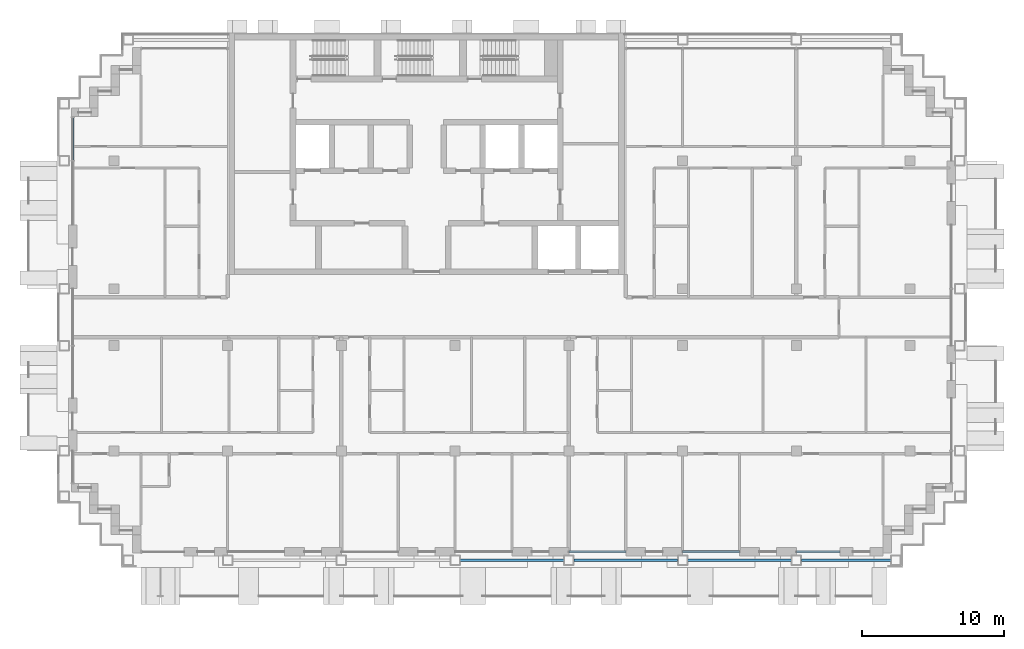
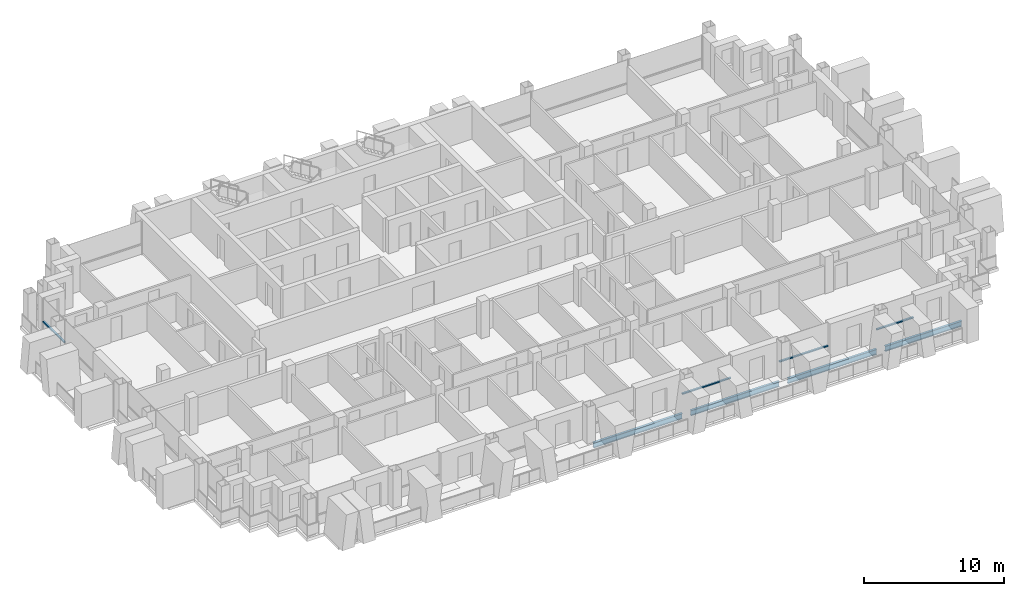
# One storey, part 3 of 16: 4 beams, 4 members, 4 elements without a shape of their own.
"""IFC4 building model written with IfcOpenShell, lengths in metres."""

from ifc_helpers import new_model, si_unit, direction, frame, origin, origin_2d, place, context, subcontext, project, spatial, rectangle, i_section, extrude, material, material_profile, profile_set, type_object, element, aggregate, save


model = new_model("IFC4")

# Units and contexts
model_context = context("Model", 3, precision=1e-05, world=origin(), true_north=direction((0.0, 1.0)))
body_context = subcontext(model_context, "Body", "Model", "MODEL_VIEW")
ifc_project = project(units=[si_unit("LENGTHUNIT", "METRE"), si_unit("AREAUNIT", "SQUARE_METRE"), si_unit("VOLUMEUNIT", "CUBIC_METRE"), si_unit("PLANEANGLEUNIT", "RADIAN"), si_unit("MASSUNIT", "GRAM", prefix="KILO")], contexts=[model_context])

# Site, building, storey
site_placement = place(None, origin())
site = spatial("IfcSite", under=ifc_project, at=site_placement, CompositionType="ELEMENT")
building_placement = place(site_placement, origin())
building = spatial("IfcBuilding", under=site, at=building_placement, Name="Vidyagriha Tower", CompositionType="ELEMENT")
storey_placement = place(building_placement, frame((0.0, 0.0, 165.300048828125)))
storey = spatial("IfcBuildingStorey", under=building, at=storey_placement, Name="L42", CompositionType="ELEMENT", Elevation=165.300048828125)

# Beams
ifc_material_1 = material(Name="Steel ASTM A992 Grade 50", Category="steel")
ifc_material_profile_1 = material_profile(ifc_material_1, i_section(OverallWidth=0.19189453125, OverallDepth=0.46240234375, WebThickness=0.010498046875, FlangeThickness=0.017578125, at=origin_2d()), Name="W18X60")
ifc_profile_set_1 = profile_set([ifc_material_profile_1], Name="Steel ASTM A992 Grade 50")
beam_type = type_object("IfcBeamType", Name="Edge beam W18X60", PredefinedType="SPANDREL", material=ifc_profile_set_1)
for number, where, z_axis, x_axis, name in (
    (1, (2.35009765625, -17.10009765625, -0.51123046875), (1.0, 0.0, 0.0), (0.0, 1.0, 0.0), "st-beam-L42-S03"),
    (2, (10.35009765625, -17.10009765625, -0.51123046875), (1.0, 0.0, 0.0), (0.0, 1.0, 0.0), "st-beam-L42-S04"),
    (3, (18.35009765625, -17.10009765625, -0.51123046875), (1.0, 0.0, 0.0), (0.0, 1.0, 0.0), "st-beam-L42-S05"),
):
    element("IfcBeam", number, at=place(storey_placement, frame(where, z_axis=z_axis, x_axis=x_axis)), inside=storey, type_object=beam_type, Name=name, PredefinedType="SPANDREL", context=body_context, shape_type="SweptSolid", body=[
        extrude(i_section(OverallWidth=0.19189453125, OverallDepth=0.46240234375, WebThickness=0.010498046875, FlangeThickness=0.017578125, at=origin_2d()), origin(), (0.0, 0.0, 1.0), 7.2998046875),
    ])
beam_placement = place(storey_placement, frame((26.35009765625, -17.10009765625, -0.51123046875), z_axis=(1.0, 0.0, 0.0), x_axis=(0.0, 1.0, 0.0)))
element("IfcBeam", 4, at=beam_placement, inside=storey, type_object=beam_type, Name="st-beam-L42-S06", PredefinedType="SPANDREL", context=body_context, shape_type="SweptSolid", body=[
    extrude(i_section(OverallWidth=0.19189453125, OverallDepth=0.46240234375, WebThickness=0.010498046875, FlangeThickness=0.017578125, at=origin_2d()), origin(), (0.0, 0.0, 1.0), 6.2998046875),
])

# Curtain wall, member
ifc_material_2 = material(Name="Aluminium and glass curtain wall", Category="aluminium")
curtain_wall_type = type_object("IfcCurtainWallType", Name="Dwelling skin unitised curtain wall", PredefinedType="USERDEFINED", material=ifc_material_2)
curtain_wall_1_placement = place(storey_placement, origin())
curtain_wall_1 = element("IfcCurtainWall", 5, at=curtain_wall_1_placement, inside=storey, type_object=curtain_wall_type, Name="CW1 dwelling skin", ObjectType="UNITISED", PredefinedType="USERDEFINED")
ifc_material_3 = material(Name="Aluminium black anodised", Category="aluminium")
ifc_material_profile_2 = material_profile(ifc_material_3, rectangle(XDim=0.159912109375, YDim=0.10009765625, at=origin_2d()), Name="Transom 100x160 black aluminium")
ifc_profile_set_2 = profile_set([ifc_material_profile_2], Name="Aluminium black anodised")
member_type = type_object("IfcMemberType", Name="Transom 100x160 black aluminium", PredefinedType="USERDEFINED", material=ifc_profile_set_2)
member_1_placement = place(storey_placement, frame((-24.89990234375, 14.030029296875, 0.89990234375), z_axis=(0.0, -1.0, 0.0), x_axis=(1.0, 0.0, 0.0)))
member_1 = element("IfcMember", 6, at=member_1_placement, type_object=member_type, Name="CW1 transom 1.1", ObjectType="TRANSOM", PredefinedType="USERDEFINED", context=body_context, shape_type="SweptSolid", body=[
    extrude(rectangle(XDim=0.159912109375, YDim=0.10009765625, at=origin_2d()), origin(), (0.0, 0.0, 1.0), 2.9951171875),
])
aggregate(curtain_wall_1, [member_1])

curtain_wall_2_placement = place(storey_placement, origin())
curtain_wall_2 = element("IfcCurtainWall", 7, at=curtain_wall_2_placement, inside=storey, type_object=curtain_wall_type, Name="CW1 dwelling skin", ObjectType="UNITISED", PredefinedType="USERDEFINED")
member_2_placement = place(storey_placement, frame((10.0, -16.5, 0.89990234375), z_axis=(1.0, 0.0, 0.0), x_axis=(0.0, 1.0, 0.0)))
member_2 = element("IfcMember", 8, at=member_2_placement, type_object=member_type, Name="CW1 transom 1.1", ObjectType="TRANSOM", PredefinedType="USERDEFINED", context=body_context, shape_type="SweptSolid", body=[
    extrude(rectangle(XDim=0.159912109375, YDim=0.10009765625, at=origin_2d()), origin(), (0.0, 0.0, 1.0), 4.0),
])
aggregate(curtain_wall_2, [member_2])

curtain_wall_3_placement = place(storey_placement, origin())
curtain_wall_3 = element("IfcCurtainWall", 9, at=curtain_wall_3_placement, inside=storey, type_object=curtain_wall_type, Name="CW1 dwelling skin", ObjectType="UNITISED", PredefinedType="USERDEFINED")
member_3_placement = place(storey_placement, frame((18.0, -16.5, 0.89990234375), z_axis=(1.0, 0.0, 0.0), x_axis=(0.0, 1.0, 0.0)))
member_3 = element("IfcMember", 10, at=member_3_placement, type_object=member_type, Name="CW1 transom 1.1", ObjectType="TRANSOM", PredefinedType="USERDEFINED", context=body_context, shape_type="SweptSolid", body=[
    extrude(rectangle(XDim=0.159912109375, YDim=0.10009765625, at=origin_2d()), origin(), (0.0, 0.0, 1.0), 4.0),
])
aggregate(curtain_wall_3, [member_3])

curtain_wall_4_placement = place(storey_placement, origin())
curtain_wall_4 = element("IfcCurtainWall", 11, at=curtain_wall_4_placement, inside=storey, type_object=curtain_wall_type, Name="CW1 dwelling skin", ObjectType="UNITISED", PredefinedType="USERDEFINED")
member_4_placement = place(storey_placement, frame((26.0, -16.5, 0.89990234375), z_axis=(1.0, 0.0, 0.0), x_axis=(0.0, 1.0, 0.0)))
member_4 = element("IfcMember", 12, at=member_4_placement, type_object=member_type, Name="CW1 transom 1.1", ObjectType="TRANSOM", PredefinedType="USERDEFINED", context=body_context, shape_type="SweptSolid", body=[
    extrude(rectangle(XDim=0.159912109375, YDim=0.10009765625, at=origin_2d()), origin(), (0.0, 0.0, 1.0), 3.050048828125),
])
aggregate(curtain_wall_4, [member_4])

save(model, "model.ifc")
